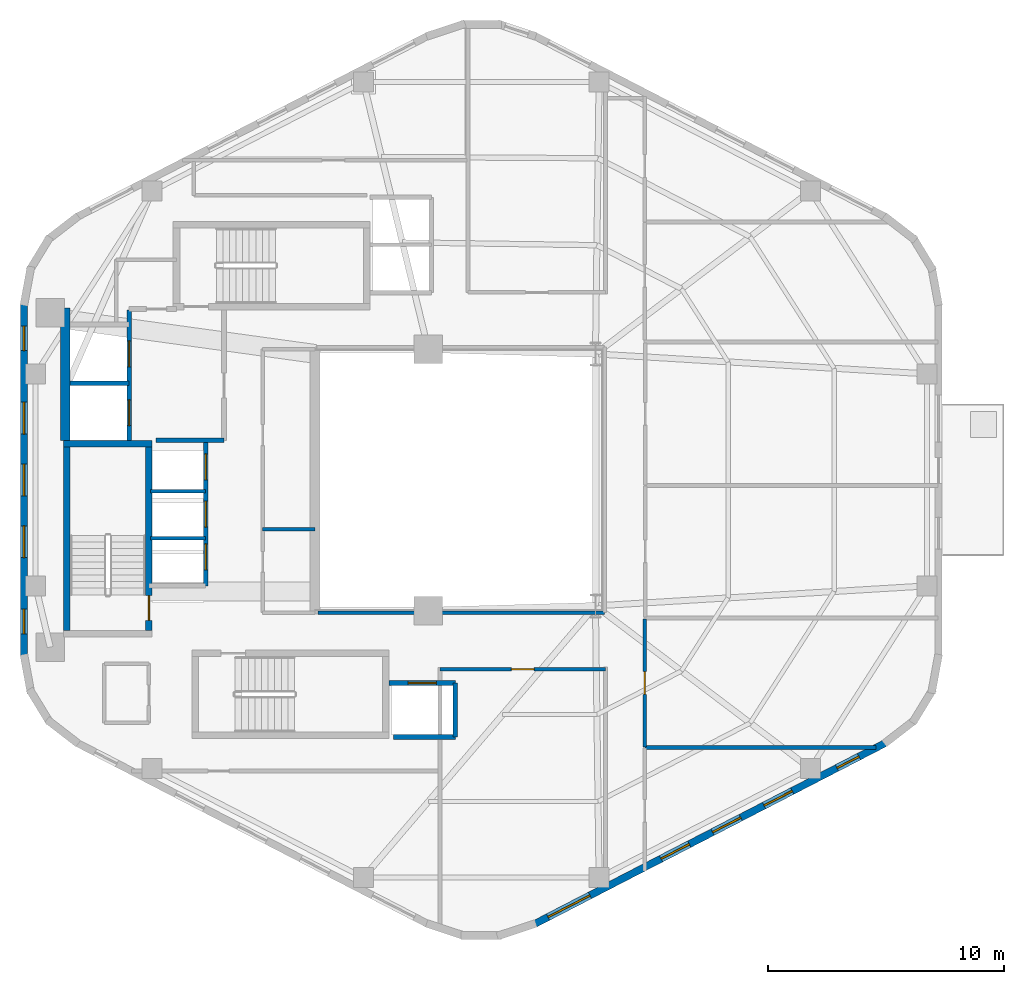
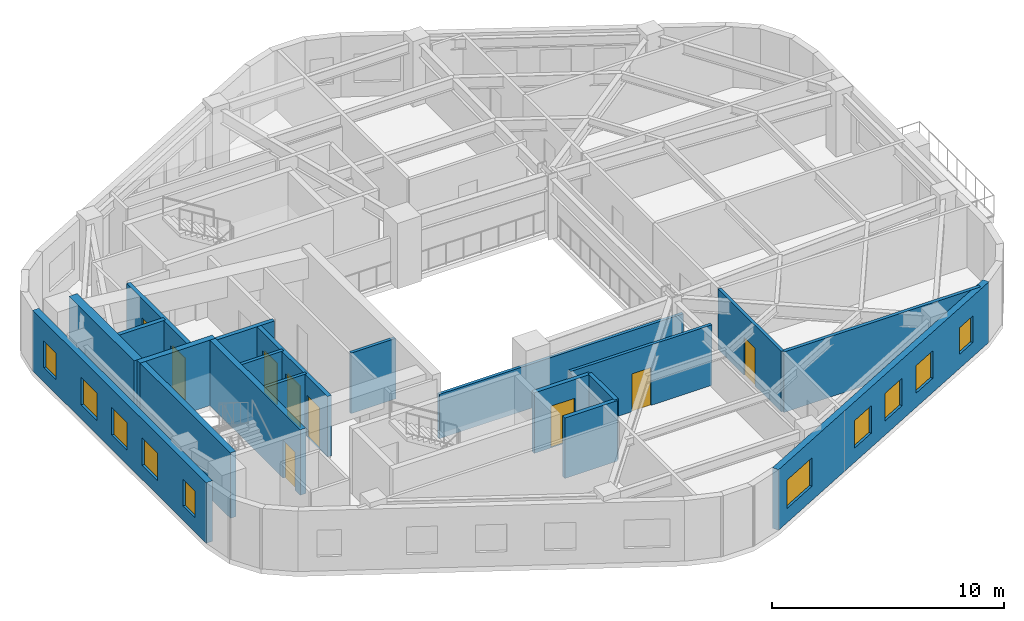
# One storey, part 3 of 7: 20 walls, 10 windows, 9 doors, 19 openings.
"""IFC4 building model written with IfcOpenShell, lengths in metres."""

import ifcopenshell
import ifcopenshell.guid

model = None  # the IFC model being written
_history = None  # IfcOwnerHistory: only IFC2X3 demands one
_inside = {}  # id of a spatial element -> (the spatial element, [elements in it])
_under = {}  # id of a project, library or spatial element -> (it, [spatial elements below it])
_declared = {}  # id of a project -> (the project, [libraries it declares])
_typed = {}  # id of a type object -> (the type object, [elements of that type])
_made_of = {}  # id of a material, layer set ... -> (it, [elements and type objects made of it])


def new_model(schema):
    """Start an empty IFC model of exactly this schema.

    Asked for "IFC4X3", IfcOpenShell would pick the latest addendum, in which some entities
    have other attributes; the version numbers below select the first issue.
    IFC2X3 requires an IfcOwnerHistory on every rooted entity: one is made here for all.
    """
    global model, _history
    if schema == "IFC4X3":
        model = ifcopenshell.file(schema_version=(4, 3, 0, 0))
    else:
        model = ifcopenshell.file(schema=schema)
    _inside.clear()
    _under.clear()
    _declared.clear()
    _typed.clear()
    _made_of.clear()
    _history = None
    if model.schema == "IFC2X3":
        org = make("IfcOrganization", Name="unknown")
        user = make(
            "IfcPersonAndOrganization",
            ThePerson=make("IfcPerson", FamilyName="unknown"),
            TheOrganization=org,
        )
        app = make(
            "IfcApplication",
            ApplicationDeveloper=org,
            Version="unknown",
            ApplicationFullName="unknown",
            ApplicationIdentifier="unknown",
        )
        _history = make(
            "IfcOwnerHistory",
            OwningUser=user,
            OwningApplication=app,
            ChangeAction="ADDED",
            CreationDate=0,
        )
    return model


def make(cls, **values):
    """One entity of the class cls with the attributes given. An attribute that is None is left unset."""
    return model.create_entity(
        cls, **{name: value for name, value in values.items() if value is not None}
    )


def rooted(cls, **values):
    """An entity with a GlobalId (a new one), such as an element, a storey or a relation."""
    return make(cls, GlobalId=ifcopenshell.guid.new(), OwnerHistory=_history, **values)


def si_unit(unit_type, name, prefix=None):
    """IfcSIUnit, for example si_unit("LENGTHUNIT", "METRE", prefix="MILLI")."""
    return make("IfcSIUnit", UnitType=unit_type, Prefix=prefix, Name=name)


def assignment(units):
    """IfcUnitAssignment: the units of a project."""
    return None if units is None else make("IfcUnitAssignment", Units=units)


def point(xyz):
    """IfcCartesianPoint."""
    return None if xyz is None else make("IfcCartesianPoint", Coordinates=xyz)


def direction(xyz):
    """IfcDirection."""
    return None if xyz is None else make("IfcDirection", DirectionRatios=xyz)


def frame(location, z_axis=None, x_axis=None):
    """IfcAxis2Placement3D, a coordinate frame: its origin and axes. An axis left out is left unset."""
    return make(
        "IfcAxis2Placement3D",
        Location=point(location),
        Axis=direction(z_axis),
        RefDirection=direction(x_axis),
    )


def frame_2d(location, x_axis=None):
    """IfcAxis2Placement2D, a coordinate frame in the plane: its origin and x axis."""
    return make(
        "IfcAxis2Placement2D", Location=point(location), RefDirection=direction(x_axis)
    )


def origin():
    """The frame at (0, 0, 0) with its axes left unset."""
    return frame((0.0, 0.0, 0.0))


def place(relative_to, where):
    """IfcLocalPlacement: puts the frame where relative to a parent placement (None: the world)."""
    return make(
        "IfcLocalPlacement", PlacementRelTo=relative_to, RelativePlacement=where
    )


def context(
    kind, dimensions, precision=None, world=None, true_north=None, identifier=None
):
    """IfcGeometricRepresentationContext, for example the 3D "Model" context."""
    return make(
        "IfcGeometricRepresentationContext",
        ContextIdentifier=identifier,
        ContextType=kind,
        CoordinateSpaceDimension=dimensions,
        Precision=precision,
        WorldCoordinateSystem=world,
        TrueNorth=true_north,
    )


def subcontext(parent, identifier, kind, view, scale=None):
    """IfcGeometricRepresentationSubContext, for example "Body" below "Model"."""
    return make(
        "IfcGeometricRepresentationSubContext",
        ContextIdentifier=identifier,
        ContextType=kind,
        ParentContext=parent,
        TargetScale=scale,
        TargetView=view,
    )


def project(units=None, contexts=None):
    """IfcProject with its units and contexts."""
    return rooted(
        "IfcProject",
        Name="project",
        RepresentationContexts=contexts,
        UnitsInContext=assignment(units),
    )


def spatial(cls, under=None, at=None, **own):
    """A site, building, storey or space (cls), placed at a placement, below another one or the project."""
    s = rooted(cls, ObjectPlacement=at, **own)
    if under is not None:
        _under.setdefault(under.id(), (under, []))[1].append(s)
    return s


def profile(cls, at=None, kind="AREA", **sizes):
    """A parametric profile (cls). Its sizes go by their IFC names, for example OverallWidth=200.0."""
    return make(cls, ProfileType=kind, Position=at, **sizes)


def rectangle(**sizes):
    """IfcRectangleProfileDef."""
    return profile("IfcRectangleProfileDef", **sizes)


def extrude(swept, where, along, depth):
    """IfcExtrudedAreaSolid: the profile swept, set in the frame where, extruded along a direction by depth."""
    return make(
        "IfcExtrudedAreaSolid",
        SweptArea=swept,
        Position=where,
        ExtrudedDirection=direction(along),
        Depth=depth,
    )


def shape(context_of_items, identifier, shape_type, items):
    """IfcShapeRepresentation: the items that make up one representation, for example the "Body"."""
    return make(
        "IfcShapeRepresentation",
        ContextOfItems=context_of_items,
        RepresentationIdentifier=identifier,
        RepresentationType=shape_type,
        Items=items,
    )


def material(Name=None, Category=None):
    """IfcMaterial."""
    return make("IfcMaterial", Name=Name, Category=Category)


def layer(
    of_material, thickness, ventilated=None, Name=None, Category=None, Priority=None
):
    """IfcMaterialLayer: one layer of a wall or slab, of a material (None: an air gap)."""
    return make(
        "IfcMaterialLayer",
        Material=of_material,
        LayerThickness=thickness,
        IsVentilated=ventilated,
        Name=Name,
        Category=Category,
        Priority=Priority,
    )


def layer_set(layers, Name=None):
    """IfcMaterialLayerSet."""
    return make("IfcMaterialLayerSet", MaterialLayers=layers, LayerSetName=Name)


def made_of(thing, what):
    """Note that an element or type object is made of a material, layer set ...; save() writes the relation."""
    if what is not None:
        _made_of.setdefault(what.id(), (what, []))[1].append(thing)
    return thing


def type_object(cls, material=None, **own):
    """A type object (cls), such as IfcWallType, which elements share."""
    return made_of(rooted(cls, **own), material)


def element(
    cls,
    number,
    at=None,
    inside=None,
    cuts=None,
    type_object=None,
    material=None,
    context=None,
    identifier="Body",
    shape_type=None,
    held_by="IfcProductDefinitionShape",
    body=None,
    shapes=None,
    **own,
):
    """One element of the class cls, such as IfcWall. Its Tag is "e" and its number.

    at: its placement. inside: the storey or other place that contains it. cuts: it is an
    opening in that element (IfcRelVoidsElement). A single representation is given by context,
    identifier, shape_type and body (its items); several are given by shapes. held_by: the class
    of the entity that holds the representations. save() writes the other relations.
    """
    e = rooted(cls, Tag="e%d" % number, ObjectPlacement=at, **own)
    if body is not None:
        shapes = [shape(context, identifier, shape_type, body)]
    if shapes is not None:
        e.Representation = make(held_by, Representations=shapes)
    if inside is not None:
        _inside.setdefault(inside.id(), (inside, []))[1].append(e)
    if cuts is not None:
        rooted(
            "IfcRelVoidsElement", RelatingBuildingElement=cuts, RelatedOpeningElement=e
        )
    if type_object is not None:
        _typed.setdefault(type_object.id(), (type_object, []))[1].append(e)
    return made_of(e, material)


def fill(opening, filler):
    """IfcRelFillsElement: the door or window that sits in an opening."""
    return rooted(
        "IfcRelFillsElement",
        RelatingOpeningElement=opening,
        RelatedBuildingElement=filler,
    )


def aggregate(whole, parts):
    """IfcRelAggregates: a whole, such as a stair, and the parts it consists of."""
    return rooted("IfcRelAggregates", RelatingObject=whole, RelatedObjects=parts)


def save(model, path):
    """Write the relations noted so far, then the file.

    IfcRelAggregates (storeys below a building ...), IfcRelContainedInSpatialStructure (elements
    in a storey), IfcRelDefinesByType, IfcRelAssociatesMaterial and IfcRelDeclares: one each for
    every whole, place, type object, material and project.
    """
    for whole, parts in _under.values():
        aggregate(whole, parts)
    for where, things in _inside.values():
        rooted(
            "IfcRelContainedInSpatialStructure",
            RelatedElements=things,
            RelatingStructure=where,
        )
    for kind, things in _typed.values():
        rooted("IfcRelDefinesByType", RelatedObjects=things, RelatingType=kind)
    for what, things in _made_of.values():
        rooted("IfcRelAssociatesMaterial", RelatedObjects=things, RelatingMaterial=what)
    for by, libraries in _declared.values():
        rooted("IfcRelDeclares", RelatingContext=by, RelatedDefinitions=libraries)
    model.write(path)


model = new_model("IFC4")

# Units and contexts
model_context = context("Model", 3, precision=1e-05, world=origin(), true_north=direction((0.0, 1.0)))
body_context = subcontext(model_context, "Body", "Model", "MODEL_VIEW")
ifc_project = project(units=[si_unit("LENGTHUNIT", "METRE"), si_unit("AREAUNIT", "SQUARE_METRE"), si_unit("VOLUMEUNIT", "CUBIC_METRE"), si_unit("PLANEANGLEUNIT", "RADIAN"), si_unit("MASSUNIT", "GRAM", prefix="KILO"), si_unit("THERMODYNAMICTEMPERATUREUNIT", "KELVIN"), si_unit("POWERUNIT", "WATT")], contexts=[model_context])

# Site, building, storey
site_placement = place(None, origin())
site = spatial("IfcSite", under=ifc_project, at=site_placement, CompositionType="ELEMENT")
building_placement = place(site_placement, origin())
building = spatial("IfcBuilding", under=site, at=building_placement, Name="Skarre Station Tower", CompositionType="ELEMENT")
storey_placement = place(building_placement, frame((0.0, 0.0, 213.699951171875)))
storey = spatial("IfcBuildingStorey", under=building, at=storey_placement, Name="L58", CompositionType="ELEMENT", Elevation=213.699951171875)

# Walls
ifc_material_1 = material(Name="Acoustic Steel-Stud Gypsum Partition", Category="steel")
ifc_layer_1 = layer(ifc_material_1, 0.14990234375, Name="Acoustic Steel-Stud Gypsum Partition")
ifc_layer_set_1 = layer_set([ifc_layer_1], Name="Acoustic Steel-Stud Gypsum Partition")
wall_type_1 = type_object("IfcWallType", Name="Fire-Rated Corridor Acoustic Partition 150", PredefinedType="PARTITIONING", material=ifc_layer_set_1)
wall_1_placement = place(storey_placement, frame((25.320068359375, 21.89990234375, 0.0), z_axis=(0.0, 0.0, 1.0), x_axis=(1.0, 0.0, 0.0)))
element("IfcWall", 1, at=wall_1_placement, inside=storey, type_object=wall_type_1, Name="L58 Interior Partition WL-PT-L58-RC2-M", PredefinedType="PARTITIONING", context=body_context, shape_type="SweptSolid", body=[
    extrude(rectangle(XDim=2.22998046875, YDim=0.14990234375, at=frame_2d((1.114990234375, 0.0))), origin(), (0.0, 0.0, 1.0), 3.18994140625),
])
wall_2_placement = place(storey_placement, frame((27.675048828125, 18.360107421875, 0.0), z_axis=(0.0, 0.0, 1.0), x_axis=(1.0, 0.0, 0.0)))
element("IfcWall", 2, at=wall_2_placement, inside=storey, type_object=wall_type_1, Name="L58 Interior Partition WL-PT-L58-ATRW-S", PredefinedType="PARTITIONING", context=body_context, shape_type="SweptSolid", body=[
    extrude(rectangle(XDim=12.1650390625, YDim=0.14990234375, at=frame_2d((6.08251953125, 0.0))), origin(), (0.0, 0.0, 1.0), 2.3310546875),
])

# Wall, opening, door
wall_3_placement = place(storey_placement, frame((32.85009765625, 15.9599609375, 0.0), z_axis=(0.0, 0.0, 1.0), x_axis=(1.0, 0.0, 0.0)))
wall_3 = element("IfcWall", 3, at=wall_3_placement, inside=storey, type_object=wall_type_1, Name="L58 Interior Partition WL-PT-L58-SWC1-CW", PredefinedType="PARTITIONING", context=body_context, shape_type="SweptSolid", body=[
    extrude(rectangle(XDim=7.02978515625, YDim=0.14990234375, at=frame_2d((3.514892578125, 0.0))), origin(), (0.0, 0.0, 1.0), 3.18994140625),
])
opening_1_placement = place(wall_3_placement, frame((3.034912109375, 0.0, 0.0)))
opening_1 = element("IfcOpeningElement", 4, at=opening_1_placement, cuts=wall_3, Name="Opening DR-FD60", PredefinedType="OPENING", context=body_context, shape_type="SweptSolid", body=[
    extrude(rectangle(XDim=0.9599609375, YDim=2.0, at=frame_2d((0.47998046875, 1.0))), frame((0.0, 0.0849609375, 0.0), z_axis=(0.0, -1.0, 0.0), x_axis=(1.0, 0.0, 0.0)), (0.0, 0.0, 1.0), 0.169921875),
])
ifc_material_2 = material(Name="Nordic White-Oak Veneer Solid-Core Fire Leaf", Category="wood")
door_type_1 = type_object("IfcDoorType", Name="Corridor Suite Entry Fire Door FD60 960x2150", OperationType="SINGLE_SWING_LEFT", PredefinedType="DOOR", material=ifc_material_2)
door_1_placement = place(opening_1_placement, origin())
door_1 = element("IfcDoor", 5, at=door_1_placement, inside=storey, type_object=door_type_1, Name="L58 SWC1 Entry Door", OperationType="SINGLE_SWING_LEFT", OverallHeight=2.0, OverallWidth=0.9599609375, PredefinedType="DOOR", context=body_context, shape_type="SweptSolid", body=[
    extrude(rectangle(XDim=0.9599609375, YDim=2.0, at=frame_2d((0.47998046875, 1.0))), frame((0.0, 0.02490234375, 0.0), z_axis=(0.0, -1.0, 0.0), x_axis=(1.0, 0.0, 0.0)), (0.0, 0.0, 1.0), 0.050048828125),
])
fill(opening_1, door_1)

wall_4_placement = place(storey_placement, frame((41.5400390625, 12.653076171875, 0.0), z_axis=(0.0, 0.0, 1.0), x_axis=(0.0, 1.0, 0.0)))
wall_4 = element("IfcWall", 6, at=wall_4_placement, inside=storey, type_object=wall_type_1, Name="L58 Interior Partition WL-PT-L58-SW2-CW", PredefinedType="PARTITIONING", context=body_context, shape_type="SweptSolid", body=[
    extrude(rectangle(XDim=5.447021484375, YDim=0.14990234375, at=frame_2d((2.7236328125, 0.0))), origin(), (0.0, 0.0, 1.0), 3.18994140625),
])
opening_2_placement = place(wall_4_placement, frame((2.243896484375, 0.0, 0.0)))
opening_2 = element("IfcOpeningElement", 7, at=opening_2_placement, cuts=wall_4, Name="Opening DR-FD60", PredefinedType="OPENING", context=body_context, shape_type="SweptSolid", body=[
    extrude(rectangle(XDim=0.9599609375, YDim=2.0, at=frame_2d((0.47998046875, 1.0))), frame((0.0, 0.0849609375, 0.0), z_axis=(0.0, -1.0, 0.0), x_axis=(1.0, 0.0, 0.0)), (0.0, 0.0, 1.0), 0.169921875),
])
door_2_placement = place(opening_2_placement, origin())
door_2 = element("IfcDoor", 8, at=door_2_placement, inside=storey, type_object=door_type_1, Name="L58 SW2 Entry Door", OperationType="SINGLE_SWING_LEFT", OverallHeight=2.0, OverallWidth=0.9599609375, PredefinedType="DOOR", context=body_context, shape_type="SweptSolid", body=[
    extrude(rectangle(XDim=0.9599609375, YDim=2.0, at=frame_2d((0.47998046875, 1.0))), frame((0.0, 0.02490234375, 0.0), z_axis=(0.0, -1.0, 0.0), x_axis=(1.0, 0.0, 0.0)), (0.0, 0.0, 1.0), 0.050048828125),
])
fill(opening_2, door_2)

# Wall, openings, windows
ifc_material_3 = material(Name="Precast concrete C45/55", Category="concrete")
ifc_layer_2 = layer(ifc_material_3, 0.31005859375, Name="Precast concrete C45/55")
ifc_layer_set_2 = layer_set([ifc_layer_2], Name="Precast concrete C45/55")
wall_type_2 = type_object("IfcWallType", Name="Nordic Upper-Zone Precast Facet Wall 310", PredefinedType="STANDARD", material=ifc_layer_set_2)
wall_5_placement = place(storey_placement, frame((15.18310546875, 16.498046875, 0.0), z_axis=(0.0, 0.0, 1.0), x_axis=(0.0, 1.0, 0.0)))
wall_5 = element("IfcWall", 9, at=wall_5_placement, inside=storey, type_object=wall_type_2, Name="L58 Facet 2 Nordic Precast Masonry Wall", PredefinedType="STANDARD", context=body_context, shape_type="SweptSolid", body=[
    extrude(rectangle(XDim=15.00390625, YDim=0.31005859375, at=frame_2d((7.501953125, 0.0))), origin(), (0.0, 0.0, 1.0), 3.18994140625),
])
opening_3_placement = place(wall_5_placement, frame((0.968017578125, 0.0, 0.75)))
opening_3 = element("IfcOpeningElement", 10, at=opening_3_placement, cuts=wall_5, Name="Opening WN-SLT", PredefinedType="OPENING", context=body_context, shape_type="SweptSolid", body=[
    extrude(rectangle(XDim=1.050048828125, YDim=1.39990234375, at=frame_2d((0.52490234375, 0.699951171875))), frame((0.0, 0.1650390625, 0.0), z_axis=(0.0, -1.0, 0.0), x_axis=(1.0, 0.0, 0.0)), (0.0, 0.0, 1.0), 0.330078125),
])
opening_4_placement = place(wall_5_placement, frame((4.202880859375, 0.0, 0.75)))
opening_4 = element("IfcOpeningElement", 11, at=opening_4_placement, cuts=wall_5, Name="Opening WN-Z3B", PredefinedType="OPENING", context=body_context, shape_type="SweptSolid", body=[
    extrude(rectangle(XDim=1.35009765625, YDim=1.449951171875, at=frame_2d((0.675048828125, 0.72509765625))), frame((0.0, 0.1650390625, 0.0), z_axis=(0.0, -1.0, 0.0), x_axis=(1.0, 0.0, 0.0)), (0.0, 0.0, 1.0), 0.330078125),
])
opening_5_placement = place(wall_5_placement, frame((6.826904296875, 0.0, 0.75)))
opening_5 = element("IfcOpeningElement", 12, at=opening_5_placement, cuts=wall_5, Name="Opening WN-Z3B", PredefinedType="OPENING", context=body_context, shape_type="SweptSolid", body=[
    extrude(rectangle(XDim=1.35009765625, YDim=1.449951171875, at=frame_2d((0.675048828125, 0.72509765625))), frame((0.0, 0.1650390625, 0.0), z_axis=(0.0, -1.0, 0.0), x_axis=(1.0, 0.0, 0.0)), (0.0, 0.0, 1.0), 0.330078125),
])
opening_6_placement = place(wall_5_placement, frame((9.450927734375, 0.0, 0.75)))
opening_6 = element("IfcOpeningElement", 13, at=opening_6_placement, cuts=wall_5, Name="Opening WN-Z3B", PredefinedType="OPENING", context=body_context, shape_type="SweptSolid", body=[
    extrude(rectangle(XDim=1.35009765625, YDim=1.449951171875, at=frame_2d((0.675048828125, 0.72509765625))), frame((0.0, 0.1650390625, 0.0), z_axis=(0.0, -1.0, 0.0), x_axis=(1.0, 0.0, 0.0)), (0.0, 0.0, 1.0), 0.330078125),
])
opening_7_placement = place(wall_5_placement, frame((12.986083984375, 0.0, 0.75)))
opening_7 = element("IfcOpeningElement", 14, at=opening_7_placement, cuts=wall_5, Name="Opening WN-SLT", PredefinedType="OPENING", context=body_context, shape_type="SweptSolid", body=[
    extrude(rectangle(XDim=1.050048828125, YDim=1.39990234375, at=frame_2d((0.52490234375, 0.699951171875))), frame((0.0, 0.1650390625, 0.0), z_axis=(0.0, -1.0, 0.0), x_axis=(1.0, 0.0, 0.0)), (0.0, 0.0, 1.0), 0.330078125),
])
ifc_material_4 = material(Name="Low-Iron Triple Glazing with Bronze Anodized Frame", Category="glass")
window_type_1 = type_object("IfcWindowType", Name="Nordic Corner Slot Window 1050x1400", PartitioningType="SINGLE_PANEL", PredefinedType="WINDOW", material=ifc_material_4)
window_1_placement = place(opening_3_placement, origin())
window_1 = element("IfcWindow", 15, at=window_1_placement, inside=storey, type_object=window_type_1, Name="L58 Facade Window WL-FAC-L58-F2-1", OverallHeight=1.39990234375, OverallWidth=1.050048828125, PartitioningType="SINGLE_PANEL", PredefinedType="WINDOW", context=body_context, shape_type="SweptSolid", body=[
    extrude(rectangle(XDim=1.050048828125, YDim=1.39990234375, at=frame_2d((0.52490234375, 0.699951171875))), frame((0.0, 0.030029296875, 0.0), z_axis=(0.0, -1.0, 0.0), x_axis=(1.0, 0.0, 0.0)), (0.0, 0.0, 1.0), 0.06005859375),
])
fill(opening_3, window_1)
window_2_placement = place(opening_7_placement, origin())
window_2 = element("IfcWindow", 16, at=window_2_placement, inside=storey, type_object=window_type_1, Name="L58 Facade Window WL-FAC-L58-F2-5", OverallHeight=1.39990234375, OverallWidth=1.050048828125, PartitioningType="SINGLE_PANEL", PredefinedType="WINDOW", context=body_context, shape_type="SweptSolid", body=[
    extrude(rectangle(XDim=1.050048828125, YDim=1.39990234375, at=frame_2d((0.52490234375, 0.699951171875))), frame((0.0, 0.030029296875, 0.0), z_axis=(0.0, -1.0, 0.0), x_axis=(1.0, 0.0, 0.0)), (0.0, 0.0, 1.0), 0.06005859375),
])
fill(opening_7, window_2)
window_type_2 = type_object("IfcWindowType", Name="Nordic Hospitality Narrow Window 1350x1450", PartitioningType="SINGLE_PANEL", PredefinedType="WINDOW", material=ifc_material_4)
window_3_placement = place(opening_4_placement, origin())
window_3 = element("IfcWindow", 17, at=window_3_placement, inside=storey, type_object=window_type_2, Name="L58 Facade Window WL-FAC-L58-F2-2", OverallHeight=1.449951171875, OverallWidth=1.35009765625, PartitioningType="SINGLE_PANEL", PredefinedType="WINDOW", context=body_context, shape_type="SweptSolid", body=[
    extrude(rectangle(XDim=1.35009765625, YDim=1.449951171875, at=frame_2d((0.675048828125, 0.72509765625))), frame((0.0, 0.030029296875, 0.0), z_axis=(0.0, -1.0, 0.0), x_axis=(1.0, 0.0, 0.0)), (0.0, 0.0, 1.0), 0.06005859375),
])
fill(opening_4, window_3)
window_4_placement = place(opening_5_placement, origin())
window_4 = element("IfcWindow", 18, at=window_4_placement, inside=storey, type_object=window_type_2, Name="L58 Facade Window WL-FAC-L58-F2-3", OverallHeight=1.449951171875, OverallWidth=1.35009765625, PartitioningType="SINGLE_PANEL", PredefinedType="WINDOW", context=body_context, shape_type="SweptSolid", body=[
    extrude(rectangle(XDim=1.35009765625, YDim=1.449951171875, at=frame_2d((0.675048828125, 0.72509765625))), frame((0.0, 0.030029296875, 0.0), z_axis=(0.0, -1.0, 0.0), x_axis=(1.0, 0.0, 0.0)), (0.0, 0.0, 1.0), 0.06005859375),
])
fill(opening_5, window_4)
window_5_placement = place(opening_6_placement, origin())
window_5 = element("IfcWindow", 19, at=window_5_placement, inside=storey, type_object=window_type_2, Name="L58 Facade Window WL-FAC-L58-F2-4", OverallHeight=1.449951171875, OverallWidth=1.35009765625, PartitioningType="SINGLE_PANEL", PredefinedType="WINDOW", context=body_context, shape_type="SweptSolid", body=[
    extrude(rectangle(XDim=1.35009765625, YDim=1.449951171875, at=frame_2d((0.675048828125, 0.72509765625))), frame((0.0, 0.030029296875, 0.0), z_axis=(0.0, -1.0, 0.0), x_axis=(1.0, 0.0, 0.0)), (0.0, 0.0, 1.0), 0.06005859375),
])
fill(opening_6, window_5)

wall_6_placement = place(storey_placement, frame((51.7919921875, 12.846923828125, 0.0), z_axis=(0.0, 0.0, 1.0), x_axis=(-0.888626188278, -0.458632202867, 0.0)))
wall_6 = element("IfcWall", 20, at=wall_6_placement, inside=storey, type_object=wall_type_2, Name="L58 Facet 4 Nordic Precast Masonry Wall", PredefinedType="STANDARD", context=body_context, shape_type="SweptSolid", body=[
    extrude(rectangle(XDim=16.828369140625, YDim=0.31005859375, at=frame_2d((8.4140625, 0.0))), origin(), (0.0, 0.0, 1.0), 3.18994140625),
])
opening_8_placement = place(wall_6_placement, frame((1.300048828125, 0.0, 0.75)))
opening_8 = element("IfcOpeningElement", 21, at=opening_8_placement, cuts=wall_6, Name="Opening WN-SLT", PredefinedType="OPENING", context=body_context, shape_type="SweptSolid", body=[
    extrude(rectangle(XDim=1.050048828125, YDim=1.39990234375, at=frame_2d((0.52490234375, 0.699951171875))), frame((0.0, 0.1650390625, 0.0), z_axis=(0.0, -1.0, 0.0), x_axis=(1.0, 0.0, 0.0)), (0.0, 0.0, 1.0), 0.330078125),
])
opening_9_placement = place(wall_6_placement, frame((4.486083984375, 0.0, 0.75)))
opening_9 = element("IfcOpeningElement", 22, at=opening_9_placement, cuts=wall_6, Name="Opening WN-Z3B", PredefinedType="OPENING", context=body_context, shape_type="SweptSolid", body=[
    extrude(rectangle(XDim=1.35009765625, YDim=1.449951171875, at=frame_2d((0.675048828125, 0.72509765625))), frame((0.0, 0.1650390625, 0.0), z_axis=(0.0, -1.0, 0.0), x_axis=(1.0, 0.0, 0.0)), (0.0, 0.0, 1.0), 0.330078125),
])
opening_10_placement = place(wall_6_placement, frame((6.946044921875, 0.0, 0.75)))
opening_10 = element("IfcOpeningElement", 23, at=opening_10_placement, cuts=wall_6, Name="Opening WN-Z3B", PredefinedType="OPENING", context=body_context, shape_type="SweptSolid", body=[
    extrude(rectangle(XDim=1.35009765625, YDim=1.449951171875, at=frame_2d((0.675048828125, 0.72509765625))), frame((0.0, 0.1650390625, 0.0), z_axis=(0.0, -1.0, 0.0), x_axis=(1.0, 0.0, 0.0)), (0.0, 0.0, 1.0), 0.330078125),
])
opening_11_placement = place(wall_6_placement, frame((9.406005859375, 0.0, 0.75)))
opening_11 = element("IfcOpeningElement", 24, at=opening_11_placement, cuts=wall_6, Name="Opening WN-Z3B", PredefinedType="OPENING", context=body_context, shape_type="SweptSolid", body=[
    extrude(rectangle(XDim=1.35009765625, YDim=1.449951171875, at=frame_2d((0.675048828125, 0.72509765625))), frame((0.0, 0.1650390625, 0.0), z_axis=(0.0, -1.0, 0.0), x_axis=(1.0, 0.0, 0.0)), (0.0, 0.0, 1.0), 0.330078125),
])
opening_12_placement = place(wall_6_placement, frame((14.153076171875, 0.0, 0.75)))
opening_12 = element("IfcOpeningElement", 25, at=opening_12_placement, cuts=wall_6, Name="Opening WN-Z3A", PredefinedType="OPENING", context=body_context, shape_type="SweptSolid", body=[
    extrude(rectangle(XDim=2.0, YDim=1.5, at=frame_2d((1.0, 0.75))), frame((0.0, 0.1650390625, 0.0), z_axis=(0.0, -1.0, 0.0), x_axis=(1.0, 0.0, 0.0)), (0.0, 0.0, 1.0), 0.330078125),
])
window_6_placement = place(opening_8_placement, origin())
window_6 = element("IfcWindow", 26, at=window_6_placement, inside=storey, type_object=window_type_1, Name="L58 Facade Window WL-FAC-L58-F4-1", OverallHeight=1.39990234375, OverallWidth=1.050048828125, PartitioningType="SINGLE_PANEL", PredefinedType="WINDOW", context=body_context, shape_type="SweptSolid", body=[
    extrude(rectangle(XDim=1.050048828125, YDim=1.39990234375, at=frame_2d((0.52490234375, 0.699951171875))), frame((0.0, 0.030029296875, 0.0), z_axis=(0.0, -1.0, 0.0), x_axis=(1.0, 0.0, 0.0)), (0.0, 0.0, 1.0), 0.06005859375),
])
fill(opening_8, window_6)
window_7_placement = place(opening_9_placement, origin())
window_7 = element("IfcWindow", 27, at=window_7_placement, inside=storey, type_object=window_type_2, Name="L58 Facade Window WL-FAC-L58-F4-2", OverallHeight=1.449951171875, OverallWidth=1.35009765625, PartitioningType="SINGLE_PANEL", PredefinedType="WINDOW", context=body_context, shape_type="SweptSolid", body=[
    extrude(rectangle(XDim=1.35009765625, YDim=1.449951171875, at=frame_2d((0.675048828125, 0.72509765625))), frame((0.0, 0.030029296875, 0.0), z_axis=(0.0, -1.0, 0.0), x_axis=(1.0, 0.0, 0.0)), (0.0, 0.0, 1.0), 0.06005859375),
])
fill(opening_9, window_7)
window_8_placement = place(opening_10_placement, origin())
window_8 = element("IfcWindow", 28, at=window_8_placement, inside=storey, type_object=window_type_2, Name="L58 Facade Window WL-FAC-L58-F4-3", OverallHeight=1.449951171875, OverallWidth=1.35009765625, PartitioningType="SINGLE_PANEL", PredefinedType="WINDOW", context=body_context, shape_type="SweptSolid", body=[
    extrude(rectangle(XDim=1.35009765625, YDim=1.449951171875, at=frame_2d((0.675048828125, 0.72509765625))), frame((0.0, 0.030029296875, 0.0), z_axis=(0.0, -1.0, 0.0), x_axis=(1.0, 0.0, 0.0)), (0.0, 0.0, 1.0), 0.06005859375),
])
fill(opening_10, window_8)
window_9_placement = place(opening_11_placement, origin())
window_9 = element("IfcWindow", 29, at=window_9_placement, inside=storey, type_object=window_type_2, Name="L58 Facade Window WL-FAC-L58-F4-4", OverallHeight=1.449951171875, OverallWidth=1.35009765625, PartitioningType="SINGLE_PANEL", PredefinedType="WINDOW", context=body_context, shape_type="SweptSolid", body=[
    extrude(rectangle(XDim=1.35009765625, YDim=1.449951171875, at=frame_2d((0.675048828125, 0.72509765625))), frame((0.0, 0.030029296875, 0.0), z_axis=(0.0, -1.0, 0.0), x_axis=(1.0, 0.0, 0.0)), (0.0, 0.0, 1.0), 0.06005859375),
])
fill(opening_11, window_9)
window_type_3 = type_object("IfcWindowType", Name="Nordic Hospitality Window 2000x1500", PartitioningType="SINGLE_PANEL", PredefinedType="WINDOW", material=ifc_material_4)
window_10_placement = place(opening_12_placement, origin())
window_10 = element("IfcWindow", 30, at=window_10_placement, inside=storey, type_object=window_type_3, Name="L58 Facade Window WL-FAC-L58-F4-5", OverallHeight=1.5, OverallWidth=2.0, PartitioningType="SINGLE_PANEL", PredefinedType="WINDOW", context=body_context, shape_type="SweptSolid", body=[
    extrude(rectangle(XDim=2.0, YDim=1.5, at=frame_2d((1.0, 0.75))), frame((0.0, 0.030029296875, 0.0), z_axis=(0.0, -1.0, 0.0), x_axis=(1.0, 0.0, 0.0)), (0.0, 0.0, 1.0), 0.06005859375),
])
fill(opening_12, window_10)

# Walls
ifc_material_5 = material(Name="Concrete C50/60", Category="concrete")
ifc_layer_3 = layer(ifc_material_5, 0.280029296875, Name="Concrete C50/60")
ifc_layer_set_3 = layer_set([ifc_layer_3], Name="Concrete C50/60")
wall_type_3 = type_object("IfcWallType", Name="RC Core Shear Wall 280", PredefinedType="SHEAR", material=ifc_layer_set_3)
wall_7_placement = place(storey_placement, frame((20.6298828125, 25.5400390625, 0.0), z_axis=(0.0, 0.0, 1.0), x_axis=(-1.0, 0.0, 0.0)))
element("IfcWall", 31, at=wall_7_placement, inside=storey, type_object=wall_type_3, Name="L58 Stair ST-1 North Shear Wall", PredefinedType="SHEAR", context=body_context, shape_type="SweptSolid", body=[
    extrude(rectangle(XDim=3.759765625, YDim=0.280029296875, at=frame_2d((1.8798828125, 0.0))), origin(), (0.0, 0.0, 1.0), 3.449951171875),
])
wall_8_placement = place(storey_placement, frame((17.010009765625, 25.39990234375, 0.0), z_axis=(0.0, 0.0, 1.0), x_axis=(0.0, -1.0, 0.0)))
element("IfcWall", 32, at=wall_8_placement, inside=storey, type_object=wall_type_3, Name="L58 Stair ST-1 West Shear Wall", PredefinedType="SHEAR", context=body_context, shape_type="SweptSolid", body=[
    extrude(rectangle(XDim=7.7998046875, YDim=0.280029296875, at=frame_2d((3.89990234375, 0.0))), origin(), (0.0, 0.0, 1.0), 3.449951171875),
])

# Wall, opening, door
wall_9_placement = place(storey_placement, frame((20.489990234375, 17.60009765625, 0.0), z_axis=(0.0, 0.0, 1.0), x_axis=(0.0, 1.0, 0.0)))
wall_9 = element("IfcWall", 33, at=wall_9_placement, inside=storey, type_object=wall_type_3, Name="L58 Stair ST-1 East Shear Wall", PredefinedType="SHEAR", context=body_context, shape_type="SweptSolid", body=[
    extrude(rectangle(XDim=7.7998046875, YDim=0.280029296875, at=frame_2d((3.89990234375, 0.0))), origin(), (0.0, 0.0, 1.0), 3.449951171875),
])
opening_13_placement = place(wall_9_placement, frame((0.43994140625, 0.0, 0.0)))
opening_13 = element("IfcOpeningElement", 34, at=opening_13_placement, cuts=wall_9, Name="Opening DR-FD90", PredefinedType="OPENING", context=body_context, shape_type="SweptSolid", body=[
    extrude(rectangle(XDim=1.050048828125, YDim=2.0, at=frame_2d((0.52490234375, 1.0))), frame((0.0, 0.14990234375, 0.0), z_axis=(0.0, -1.0, 0.0), x_axis=(1.0, 0.0, 0.0)), (0.0, 0.0, 1.0), 0.300048828125),
])
ifc_material_6 = material(Name="Fire-Rated Insulated Steel Frame & Timber Core Leaf", Category="steel")
door_type_2 = type_object("IfcDoorType", Name="Stair & FSAE Lobby Fire Door FD90 1050x2150", OperationType="SINGLE_SWING_RIGHT", PredefinedType="DOOR", material=ifc_material_6)
door_3_placement = place(opening_13_placement, origin())
door_3 = element("IfcDoor", 35, at=door_3_placement, inside=storey, type_object=door_type_2, Name="L58 Stair ST-1 Exit Door", OperationType="SINGLE_SWING_RIGHT", OverallHeight=2.0, OverallWidth=1.050048828125, PredefinedType="DOOR", context=body_context, shape_type="SweptSolid", body=[
    extrude(rectangle(XDim=1.050048828125, YDim=2.0, at=frame_2d((0.52490234375, 1.0))), frame((0.0, 0.02490234375, 0.0), z_axis=(0.0, -1.0, 0.0), x_axis=(1.0, 0.0, 0.0)), (0.0, 0.0, 1.0), 0.050048828125),
])
fill(opening_13, door_3)

# Wall
ifc_material_7 = material(Name="Concrete C60/75", Category="concrete")
ifc_layer_4 = layer(ifc_material_7, 0.419921875, Name="Concrete C60/75")
ifc_layer_set_4 = layer_set([ifc_layer_4], Name="Concrete C60/75")
wall_type_4 = type_object("IfcWallType", Name="RC Core Shear Wall 420", PredefinedType="SHEAR", material=ifc_layer_set_4)
wall_10_placement = place(storey_placement, frame((16.93994140625, 25.679931640625, 0.0), z_axis=(0.0, 0.0, 1.0), x_axis=(0.0, 1.0, 0.0)))
element("IfcWall", 36, at=wall_10_placement, inside=storey, type_object=wall_type_4, Name="L58 Core West-North Shear Wall", PredefinedType="SHEAR", context=body_context, shape_type="SweptSolid", body=[
    extrude(rectangle(XDim=5.6201171875, YDim=0.419921875, at=frame_2d((2.81005859375, 0.0))), origin(), (0.0, 0.0, 1.0), 3.449951171875),
])

# Wall, openings, doors
ifc_material_8 = material(Name="Gypsum Concrete Shaft Assembly C30/37", Category="concrete")
ifc_layer_5 = layer(ifc_material_8, 0.199951171875, Name="Gypsum Concrete Shaft Assembly C30/37")
ifc_layer_set_5 = layer_set([ifc_layer_5], Name="Gypsum Concrete Shaft Assembly C30/37")
wall_type_5 = type_object("IfcWallType", Name="Shaft & Core Fire Partition 200", PredefinedType="PARTITIONING", material=ifc_layer_set_5)
wall_11_placement = place(storey_placement, frame((19.64990234375, 25.679931640625, 0.0), z_axis=(0.0, 0.0, 1.0), x_axis=(0.0, 1.0, 0.0)))
wall_11 = element("IfcWall", 37, at=wall_11_placement, inside=storey, type_object=wall_type_5, Name="L58 Interior Partition WL-PT-L58-FSAE-W", PredefinedType="PARTITIONING", context=body_context, shape_type="SweptSolid", body=[
    extrude(rectangle(XDim=5.5400390625, YDim=0.199951171875, at=frame_2d((2.77001953125, 0.0))), origin(), (0.0, 0.0, 1.0), 3.18994140625),
])
opening_14_placement = place(wall_11_placement, frame((0.6201171875, 0.0, 0.0)))
opening_14 = element("IfcOpeningElement", 38, at=opening_14_placement, cuts=wall_11, Name="Opening LD-FF1", PredefinedType="OPENING", context=body_context, shape_type="SweptSolid", body=[
    extrude(rectangle(XDim=1.10009765625, YDim=2.199951171875, at=frame_2d((0.550048828125, 1.10009765625))), frame((0.0, 0.10986328125, 0.0), z_axis=(0.0, -1.0, 0.0), x_axis=(1.0, 0.0, 0.0)), (0.0, 0.0, 1.0), 0.219970703125),
])
opening_15_placement = place(wall_11_placement, frame((3.1201171875, 0.0, 0.0)))
opening_15 = element("IfcOpeningElement", 39, at=opening_15_placement, cuts=wall_11, Name="Opening LD-FF2", PredefinedType="OPENING", context=body_context, shape_type="SweptSolid", body=[
    extrude(rectangle(XDim=1.10009765625, YDim=2.199951171875, at=frame_2d((0.550048828125, 1.10009765625))), frame((0.0, 0.10986328125, 0.0), z_axis=(0.0, -1.0, 0.0), x_axis=(1.0, 0.0, 0.0)), (0.0, 0.0, 1.0), 0.219970703125),
])
ifc_material_9 = material(Name="Fire-Rated Stainless Steel Grade 316L Sliding Leaves", Category="steel")
door_type_3 = type_object("IfcDoorType", Name="Fire Service Access Elevator Sliding Landing Door 1100x2200", OperationType="SLIDING_TO_LEFT", PredefinedType="DOOR", material=ifc_material_9)
door_4_placement = place(opening_14_placement, origin())
door_4 = element("IfcDoor", 40, at=door_4_placement, inside=storey, type_object=door_type_3, Name="L58 Firefighting Lift LF-FF1 Landing Door", OperationType="SLIDING_TO_LEFT", OverallHeight=2.199951171875, OverallWidth=1.10009765625, PredefinedType="DOOR", context=body_context, shape_type="SweptSolid", body=[
    extrude(rectangle(XDim=1.10009765625, YDim=2.199951171875, at=frame_2d((0.550048828125, 1.10009765625))), frame((0.0, 0.02490234375, 0.0), z_axis=(0.0, -1.0, 0.0), x_axis=(1.0, 0.0, 0.0)), (0.0, 0.0, 1.0), 0.050048828125),
])
fill(opening_14, door_4)
door_5_placement = place(opening_15_placement, origin())
door_5 = element("IfcDoor", 41, at=door_5_placement, inside=storey, type_object=door_type_3, Name="L58 Firefighting Lift LF-FF2 Landing Door", OperationType="SLIDING_TO_LEFT", OverallHeight=2.199951171875, OverallWidth=1.10009765625, PredefinedType="DOOR", context=body_context, shape_type="SweptSolid", body=[
    extrude(rectangle(XDim=1.10009765625, YDim=2.199951171875, at=frame_2d((0.550048828125, 1.10009765625))), frame((0.0, 0.02490234375, 0.0), z_axis=(0.0, -1.0, 0.0), x_axis=(1.0, 0.0, 0.0)), (0.0, 0.0, 1.0), 0.050048828125),
])
fill(opening_15, door_5)

# Walls
wall_12_placement = place(storey_placement, frame((20.79296875, 25.679931640625, 0.0), z_axis=(0.0, 0.0, 1.0), x_axis=(1.0, 0.0, 0.0)))
element("IfcWall", 42, at=wall_12_placement, inside=storey, type_object=wall_type_5, Name="L58 Interior Partition WL-PT-L58-FSAE-S", PredefinedType="PARTITIONING", context=body_context, shape_type="SweptSolid", body=[
    extrude(rectangle(XDim=2.886962890625, YDim=0.199951171875, at=frame_2d((1.443359375, 0.0))), origin(), (0.0, 0.0, 1.0), 3.18994140625),
])
wall_13_placement = place(storey_placement, frame((17.14990234375, 28.10009765625, 0.0), z_axis=(0.0, 0.0, 1.0), x_axis=(1.0, 0.0, 0.0)))
element("IfcWall", 43, at=wall_13_placement, inside=storey, type_object=wall_type_5, Name="L58 Interior Partition WL-PT-L58-FF-DIV", PredefinedType="PARTITIONING", context=body_context, shape_type="SweptSolid", body=[
    extrude(rectangle(XDim=2.5, YDim=0.199951171875, at=frame_2d((1.25, 0.0))), origin(), (0.0, 0.0, 1.0), 3.18994140625),
])

# Wall, opening, door
wall_14_placement = place(storey_placement, frame((33.5, 15.3798828125, 0.0), z_axis=(0.0, 0.0, 1.0), x_axis=(-1.0, 0.0, 0.0)))
wall_14 = element("IfcWall", 44, at=wall_14_placement, inside=storey, type_object=wall_type_5, Name="L58 Interior Partition WL-PT-L58-SV1-N", PredefinedType="PARTITIONING", context=body_context, shape_type="SweptSolid", body=[
    extrude(rectangle(XDim=2.820068359375, YDim=0.199951171875, at=frame_2d((1.41015625, 0.0))), origin(), (0.0, 0.0, 1.0), 3.18994140625),
])
opening_16_placement = place(wall_14_placement, frame((0.800048828125, 0.0, 0.0)))
opening_16 = element("IfcOpeningElement", 45, at=opening_16_placement, cuts=wall_14, Name="Opening LD-SV1", PredefinedType="OPENING", context=body_context, shape_type="SweptSolid", body=[
    extrude(rectangle(XDim=1.199951171875, YDim=2.199951171875, at=frame_2d((0.60009765625, 1.10009765625))), frame((0.0, 0.10986328125, 0.0), z_axis=(0.0, -1.0, 0.0), x_axis=(1.0, 0.0, 0.0)), (0.0, 0.0, 1.0), 0.219970703125),
])
ifc_material_10 = material(Name="Heavy-Gauge Brushed Stainless Steel Sliding Leaves", Category="steel")
door_type_4 = type_object("IfcDoorType", Name="Service Elevator Wide Sliding Landing Door 1200x2200", OperationType="SLIDING_TO_RIGHT", PredefinedType="DOOR", material=ifc_material_10)
door_6_placement = place(opening_16_placement, origin())
door_6 = element("IfcDoor", 46, at=door_6_placement, inside=storey, type_object=door_type_4, Name="L58 Service Lift LF-SV1 Landing Door", OperationType="SLIDING_TO_RIGHT", OverallHeight=2.199951171875, OverallWidth=1.199951171875, PredefinedType="DOOR", context=body_context, shape_type="SweptSolid", body=[
    extrude(rectangle(XDim=1.199951171875, YDim=2.199951171875, at=frame_2d((0.60009765625, 1.10009765625))), frame((0.0, 0.02490234375, 0.0), z_axis=(0.0, -1.0, 0.0), x_axis=(1.0, 0.0, 0.0)), (0.0, 0.0, 1.0), 0.050048828125),
])
fill(opening_16, door_6)

# Walls
wall_15_placement = place(storey_placement, frame((33.5, 13.080078125, 0.0), z_axis=(0.0, 0.0, 1.0), x_axis=(0.0, 1.0, 0.0)))
element("IfcWall", 47, at=wall_15_placement, inside=storey, type_object=wall_type_5, Name="L58 Interior Partition WL-PT-L58-SV1-E", PredefinedType="PARTITIONING", context=body_context, shape_type="SweptSolid", body=[
    extrude(rectangle(XDim=2.2998046875, YDim=0.199951171875, at=frame_2d((1.14990234375, 0.0))), origin(), (0.0, 0.0, 1.0), 3.18994140625),
])
wall_16_placement = place(storey_placement, frame((30.87890625, 13.080078125, 0.0), z_axis=(0.0, 0.0, 1.0), x_axis=(1.0, 0.0, 0.0)))
element("IfcWall", 48, at=wall_16_placement, inside=storey, type_object=wall_type_5, Name="L58 Interior Partition WL-PT-L58-SV1-S", PredefinedType="PARTITIONING", context=body_context, shape_type="SweptSolid", body=[
    extrude(rectangle(XDim=2.62109375, YDim=0.199951171875, at=frame_2d((1.310546875, 0.0))), origin(), (0.0, 0.0, 1.0), 3.18994140625),
])

# Wall, openings, doors
wall_17_placement = place(storey_placement, frame((22.89990234375, 19.5, 0.0), z_axis=(0.0, 0.0, 1.0), x_axis=(0.0, 1.0, 0.0)))
wall_17 = element("IfcWall", 49, at=wall_17_placement, inside=storey, type_object=wall_type_5, Name="L58 Interior Partition WL-PT-L58-B3-E", PredefinedType="PARTITIONING", context=body_context, shape_type="SweptSolid", body=[
    extrude(rectangle(XDim=6.0849609375, YDim=0.199951171875, at=frame_2d((3.04248046875, 0.0))), origin(), (0.0, 0.0, 1.0), 3.18994140625),
])
opening_17_placement = place(wall_17_placement, frame((0.679931640625, 0.0, 0.0)))
opening_17 = element("IfcOpeningElement", 50, at=opening_17_placement, cuts=wall_17, Name="Opening LD-P7", PredefinedType="OPENING", context=body_context, shape_type="SweptSolid", body=[
    extrude(rectangle(XDim=1.10009765625, YDim=2.199951171875, at=frame_2d((0.550048828125, 1.10009765625))), frame((0.0, 0.10986328125, 0.0), z_axis=(0.0, -1.0, 0.0), x_axis=(1.0, 0.0, 0.0)), (0.0, 0.0, 1.0), 0.219970703125),
])
opening_18_placement = place(wall_17_placement, frame((2.5, 0.0, 0.0)))
opening_18 = element("IfcOpeningElement", 51, at=opening_18_placement, cuts=wall_17, Name="Opening LD-P8", PredefinedType="OPENING", context=body_context, shape_type="SweptSolid", body=[
    extrude(rectangle(XDim=1.10009765625, YDim=2.199951171875, at=frame_2d((0.550048828125, 1.10009765625))), frame((0.0, 0.10986328125, 0.0), z_axis=(0.0, -1.0, 0.0), x_axis=(1.0, 0.0, 0.0)), (0.0, 0.0, 1.0), 0.219970703125),
])
opening_19_placement = place(wall_17_placement, frame((4.5, 0.0, 0.0)))
opening_19 = element("IfcOpeningElement", 52, at=opening_19_placement, cuts=wall_17, Name="Opening LD-P9", PredefinedType="OPENING", context=body_context, shape_type="SweptSolid", body=[
    extrude(rectangle(XDim=1.10009765625, YDim=2.199951171875, at=frame_2d((0.550048828125, 1.10009765625))), frame((0.0, 0.10986328125, 0.0), z_axis=(0.0, -1.0, 0.0), x_axis=(1.0, 0.0, 0.0)), (0.0, 0.0, 1.0), 0.219970703125),
])
ifc_material_11 = material(Name="Brushed Bronze Stainless Steel Sliding Leaves", Category="steel")
door_type_5 = type_object("IfcDoorType", Name="Passenger Elevator Center-Parting Sliding Door 1100x2200", OperationType="SLIDING_TO_LEFT", PredefinedType="DOOR", material=ifc_material_11)
door_7_placement = place(opening_17_placement, origin())
door_7 = element("IfcDoor", 53, at=door_7_placement, inside=storey, type_object=door_type_5, Name="L58 Passenger Lift LF-P7 Landing Door", OperationType="SLIDING_TO_LEFT", OverallHeight=2.199951171875, OverallWidth=1.10009765625, PredefinedType="DOOR", context=body_context, shape_type="SweptSolid", body=[
    extrude(rectangle(XDim=1.10009765625, YDim=2.199951171875, at=frame_2d((0.550048828125, 1.10009765625))), frame((0.0, 0.02490234375, 0.0), z_axis=(0.0, -1.0, 0.0), x_axis=(1.0, 0.0, 0.0)), (0.0, 0.0, 1.0), 0.050048828125),
])
fill(opening_17, door_7)
door_8_placement = place(opening_18_placement, origin())
door_8 = element("IfcDoor", 54, at=door_8_placement, inside=storey, type_object=door_type_5, Name="L58 Passenger Lift LF-P8 Landing Door", OperationType="SLIDING_TO_LEFT", OverallHeight=2.199951171875, OverallWidth=1.10009765625, PredefinedType="DOOR", context=body_context, shape_type="SweptSolid", body=[
    extrude(rectangle(XDim=1.10009765625, YDim=2.199951171875, at=frame_2d((0.550048828125, 1.10009765625))), frame((0.0, 0.02490234375, 0.0), z_axis=(0.0, -1.0, 0.0), x_axis=(1.0, 0.0, 0.0)), (0.0, 0.0, 1.0), 0.050048828125),
])
fill(opening_18, door_8)
door_9_placement = place(opening_19_placement, origin())
door_9 = element("IfcDoor", 55, at=door_9_placement, inside=storey, type_object=door_type_5, Name="L58 Passenger Lift LF-P9 Landing Door", OperationType="SLIDING_TO_LEFT", OverallHeight=2.199951171875, OverallWidth=1.10009765625, PredefinedType="DOOR", context=body_context, shape_type="SweptSolid", body=[
    extrude(rectangle(XDim=1.10009765625, YDim=2.199951171875, at=frame_2d((0.550048828125, 1.10009765625))), frame((0.0, 0.02490234375, 0.0), z_axis=(0.0, -1.0, 0.0), x_axis=(1.0, 0.0, 0.0)), (0.0, 0.0, 1.0), 0.050048828125),
])
fill(opening_19, door_9)

# Walls
for number, where, z_axis, x_axis, name in (
    (56, (20.550048828125, 21.52001953125, 0.0), (0.0, 0.0, 1.0), (1.0, 0.0, 0.0), "L58 Interior Partition WL-PT-L58-B3-D1"),
    (57, (20.550048828125, 23.52001953125, 0.0), (0.0, 0.0, 1.0), (1.0, 0.0, 0.0), "L58 Interior Partition WL-PT-L58-B3-D2"),
):
    element("IfcWall", number, at=place(storey_placement, frame(where, z_axis=z_axis, x_axis=x_axis)), inside=storey, type_object=wall_type_5, Name=name, PredefinedType="PARTITIONING", context=body_context, shape_type="SweptSolid", body=[
        extrude(rectangle(XDim=2.349853515625, YDim=0.159912109375, at=frame_2d((1.1748046875, 0.0))), origin(), (0.0, 0.0, 1.0), 3.18994140625),
    ])
ifc_layer_6 = layer(ifc_material_1, 0.1650390625, Name="Acoustic Steel-Stud Gypsum Partition")
ifc_layer_set_6 = layer_set([ifc_layer_6], Name="Acoustic Steel-Stud Gypsum Partition")
wall_type_6 = type_object("IfcWallType", Name="Suite Demising Acoustic Partition 165", PredefinedType="PARTITIONING", material=ifc_layer_set_6)
wall_18_placement = place(storey_placement, frame((41.550048828125, 12.636962890625, 0.0), z_axis=(0.0, 0.0, 1.0), x_axis=(1.0, 0.0, 0.0)))
element("IfcWall", 58, at=wall_18_placement, inside=storey, type_object=wall_type_6, Name="L58 Interior Partition WL-PT-L58-SW-P1", PredefinedType="PARTITIONING", context=body_context, shape_type="SweptSolid", body=[
    extrude(rectangle(XDim=9.802978515625, YDim=0.1650390625, at=frame_2d((4.9013671875, 0.0))), origin(), (0.0, 0.0, 1.0), 3.18994140625),
])

save(model, "model.ifc")
